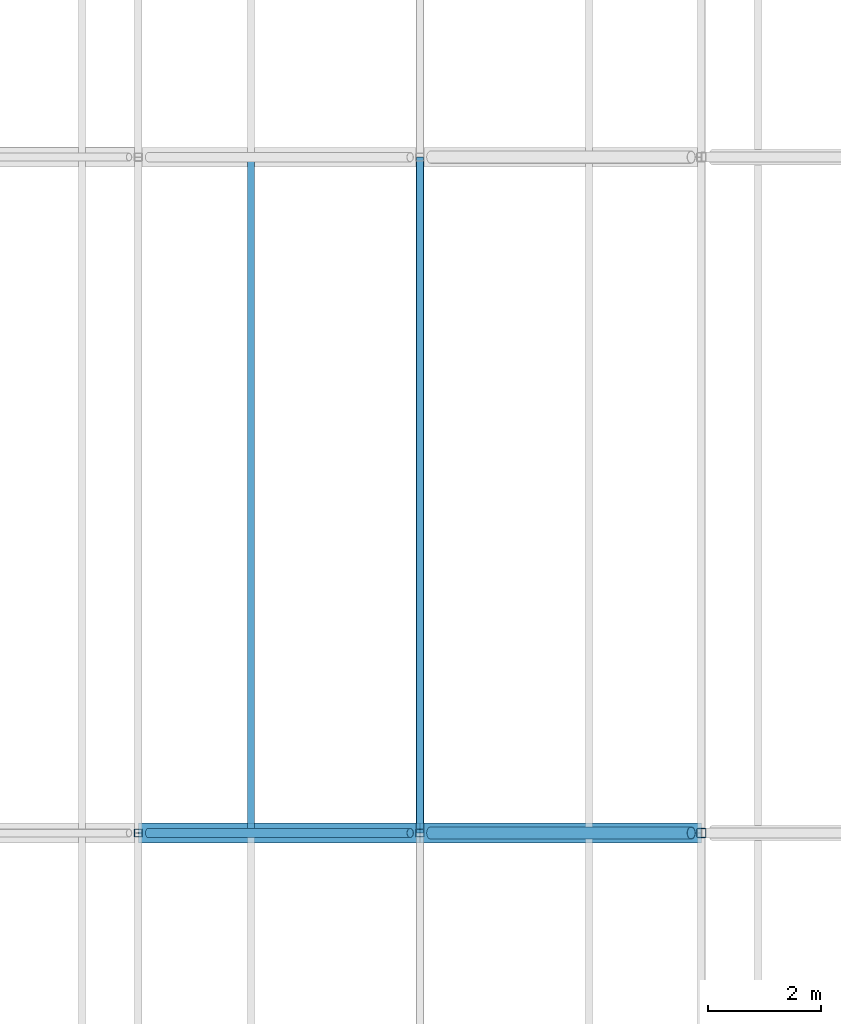
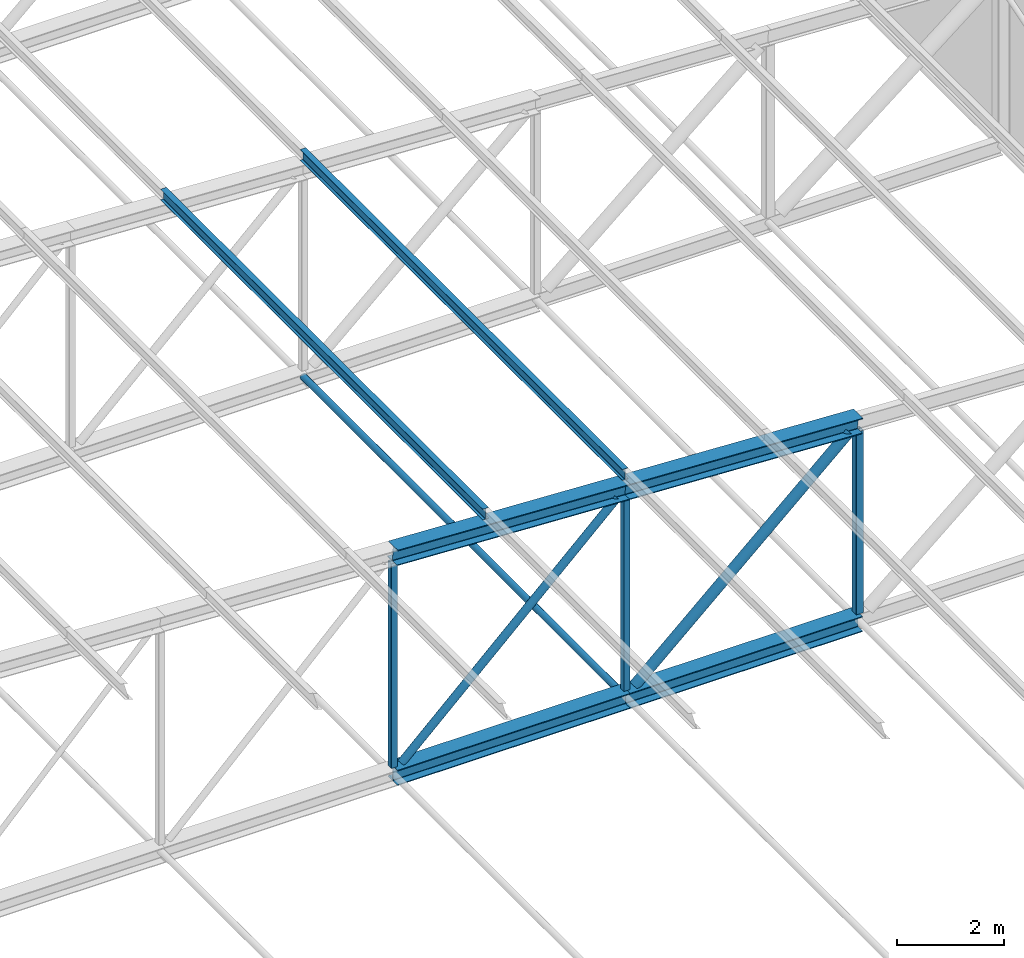
# One storey, part 78 of 156: 12 members.
"""IFC4 building model written with IfcOpenShell, lengths in metres."""

from ifc_helpers import new_model, si_unit, direction, frame, origin, origin_2d, place, context, subcontext, project, spatial, hollow_rectangle, hollow_circle, i_section, extrude, material, material_profile, profile_set, type_object, element, save


model = new_model("IFC4")

# Units and contexts
model_context = context("Model", 3, precision=1e-05, world=origin(), true_north=direction((0.0, 1.0)))
body_context = subcontext(model_context, "Body", "Model", "MODEL_VIEW")
ifc_project = project(units=[si_unit("LENGTHUNIT", "METRE"), si_unit("AREAUNIT", "SQUARE_METRE"), si_unit("VOLUMEUNIT", "CUBIC_METRE"), si_unit("PLANEANGLEUNIT", "RADIAN"), si_unit("MASSUNIT", "GRAM", prefix="KILO")], contexts=[model_context])

# Site, building, storey
site_placement = place(None, origin())
site = spatial("IfcSite", under=ifc_project, at=site_placement, CompositionType="ELEMENT")
building_placement = place(site_placement, origin())
building = spatial("IfcBuilding", under=site, at=building_placement, Name="Lilac Gate Convention Centre", CompositionType="ELEMENT")
storey_placement = place(building_placement, frame((0.0, 0.0, 17.0)))
storey = spatial("IfcBuildingStorey", under=building, at=storey_placement, Name="L03", CompositionType="ELEMENT", Elevation=17.0)

# Members
ifc_material = material(Name="Steel Q355B", Category="steel")
ifc_material_profile_1 = material_profile(ifc_material, hollow_circle(Radius=0.06982421875, WallThickness=0.0048828125, at=origin_2d()), Name="CHS139.7x5")
ifc_profile_set_1 = profile_set([ifc_material_profile_1], Name="Steel Q355B")
member_type_1 = type_object("IfcMemberType", Name="Bottom chord tie CHS139.7x5", PredefinedType="STRUT", material=ifc_profile_set_1)
member_1_placement = place(storey_placement, frame((75.0, 102.006103515625, 0.0), z_axis=(0.0, 1.0, 0.0), x_axis=(-1.0, 0.0, 0.0)))
element("IfcMember", 1, at=member_1_placement, inside=storey, type_object=member_type_1, Name="ST1 tie bay 7 node 10", PredefinedType="STRUT", context=body_context, shape_type="SweptSolid", body=[
    extrude(hollow_circle(Radius=0.06982421875, WallThickness=0.0048828125, at=origin_2d()), origin(), (0.0, 0.0, 1.0), 11.98779296875),
])
ifc_material_profile_2 = material_profile(ifc_material, i_section(OverallWidth=0.125, OverallDepth=0.25, WebThickness=0.006103515625, FlangeThickness=0.009033203125, FilletRadius=0.008056640625, at=origin_2d()), Name="HN250x125x6x9")
ifc_profile_set_2 = profile_set([ifc_material_profile_2], Name="Steel Q355B")
member_type_2 = type_object("IfcMemberType", Name="Roof purlin HN250x125x6x9", PredefinedType="PURLIN", material=ifc_profile_set_2)
for number, where, z_axis, x_axis, name in (
    (2, (72.0, 102.0, 5.2001953125), (0.0, 1.0, 0.0), (-1.0, 0.0, 0.0), "PU2 purlin bay 7 line 15"),
    (3, (75.0, 102.0, 5.05029296875), (0.0, 1.0, 0.0), (-1.0, 0.0, 0.0), "PU2 purlin bay 7 line 16"),
):
    element("IfcMember", number, at=place(storey_placement, frame(where, z_axis=z_axis, x_axis=x_axis)), inside=storey, type_object=member_type_2, Name=name, PredefinedType="PURLIN", context=body_context, shape_type="SweptSolid", body=[
        extrude(i_section(OverallWidth=0.125, OverallDepth=0.25, WebThickness=0.006103515625, FlangeThickness=0.009033203125, FilletRadius=0.008056640625, at=origin_2d()), origin(), (0.0, 0.0, 1.0), 12.0),
    ])
ifc_material_profile_3 = material_profile(ifc_material, i_section(OverallWidth=0.35009765625, OverallDepth=0.35009765625, WebThickness=0.011962890625, FlangeThickness=0.01904296875, FilletRadius=0.012939453125, at=origin_2d()), Name="HW350x350x12x19")
ifc_profile_set_3 = profile_set([ifc_material_profile_3], Name="Steel Q355B")
member_type_3 = type_object("IfcMemberType", Name="Truss bottom chord HW350x350x12x19", PredefinedType="CHORD", material=ifc_profile_set_3)
for number, where, z_axis, x_axis, name in (
    (4, (70.0, 102.0, 0.0), (1.0, 0.0, 0.0), (0.0, 1.0, 0.0), "TB2 truss 7 bottom chord 9"),
    (5, (75.0, 102.0, 0.0), (1.0, 0.0, 0.0), (0.0, 1.0, 0.0), "TB2 truss 7 bottom chord 10"),
):
    element("IfcMember", number, at=place(storey_placement, frame(where, z_axis=z_axis, x_axis=x_axis)), inside=storey, type_object=member_type_3, Name=name, PredefinedType="CHORD", context=body_context, shape_type="SweptSolid", body=[
        extrude(i_section(OverallWidth=0.35009765625, OverallDepth=0.35009765625, WebThickness=0.011962890625, FlangeThickness=0.01904296875, FilletRadius=0.012939453125, at=origin_2d()), origin(), (0.0, 0.0, 1.0), 5.0),
    ])
ifc_material_profile_4 = material_profile(ifc_material, hollow_circle(Radius=0.084228515625, WallThickness=0.006103515625, at=origin_2d()), Name="CHS168.3x6")
ifc_profile_set_4 = profile_set([ifc_material_profile_4], Name="Steel Q355B")
member_type_4 = type_object("IfcMemberType", Name="Truss diagonal CHS168.3x6", PredefinedType="BRACE", material=ifc_profile_set_4)
member_2_placement = place(storey_placement, frame((74.8271484375, 102.0, 4.585693359375), z_axis=(-0.725020373275, 0.0, -0.688727419475), x_axis=(0.0, -1.0, 0.0)))
element("IfcMember", 6, at=member_2_placement, inside=storey, type_object=member_type_4, Name="TW4 truss 7 diagonal 9", PredefinedType="BRACE", context=body_context, shape_type="SweptSolid", body=[
    extrude(hollow_circle(Radius=0.084228515625, WallThickness=0.006103515625, at=origin_2d()), origin(), (0.0, 0.0, 1.0), 6.404052734375),
])
ifc_material_profile_5 = material_profile(ifc_material, hollow_circle(Radius=0.109619140625, WallThickness=0.008056640625, at=origin_2d()), Name="CHS219.1x8")
ifc_profile_set_5 = profile_set([ifc_material_profile_5], Name="Steel Q355B")
member_type_5 = type_object("IfcMemberType", Name="Truss diagonal CHS219.1x8", PredefinedType="BRACE", material=ifc_profile_set_5)
member_3_placement = place(storey_placement, frame((79.8173828125, 102.0, 4.335693359375), z_axis=(-0.743301953498, 0.0, -0.668956056797), x_axis=(0.0, -1.0, 0.0)))
element("IfcMember", 7, at=member_3_placement, inside=storey, type_object=member_type_5, Name="TW3 truss 7 diagonal 10", PredefinedType="BRACE", context=body_context, shape_type="SweptSolid", body=[
    extrude(hollow_circle(Radius=0.109619140625, WallThickness=0.008056640625, at=origin_2d()), origin(), (0.0, 0.0, 1.0), 6.2197265625),
])
ifc_material_profile_6 = material_profile(ifc_material, i_section(OverallWidth=0.35009765625, OverallDepth=0.35009765625, WebThickness=0.011962890625, FlangeThickness=0.01904296875, FilletRadius=0.012939453125, at=origin_2d()), Name="HW350x350x12x19")
ifc_profile_set_6 = profile_set([ifc_material_profile_6], Name="Steel Q355B")
member_type_6 = type_object("IfcMemberType", Name="Truss top chord HW350x350x12x19", PredefinedType="CHORD", material=ifc_profile_set_6)
for number, where, z_axis, x_axis, name in (
    (8, (70.0, 102.0, 5.0), (0.998752338878, 0.0, -0.049937616944), (0.0, 1.0, 0.0), "TT2 truss 7 top chord 9"),
    (9, (75.0, 102.0, 4.75), (0.998752338878, 0.0, -0.049937616944), (0.0, 1.0, 0.0), "TT2 truss 7 top chord 10"),
):
    element("IfcMember", number, at=place(storey_placement, frame(where, z_axis=z_axis, x_axis=x_axis)), inside=storey, type_object=member_type_6, Name=name, PredefinedType="CHORD", context=body_context, shape_type="SweptSolid", body=[
        extrude(i_section(OverallWidth=0.35009765625, OverallDepth=0.35009765625, WebThickness=0.011962890625, FlangeThickness=0.01904296875, FilletRadius=0.012939453125, at=origin_2d()), origin(), (0.0, 0.0, 1.0), 5.00634765625),
    ])
ifc_material_profile_7 = material_profile(ifc_material, hollow_rectangle(XDim=0.139892578125, YDim=0.139892578125, WallThickness=0.0048828125, InnerFilletRadius=0.0048828125, OuterFilletRadius=0.010009765625, at=origin_2d()), Name="SHS140x140x5")
ifc_profile_set_7 = profile_set([ifc_material_profile_7], Name="Steel Q355B")
member_type_7 = type_object("IfcMemberType", Name="Truss vertical SHS140x140x5", PredefinedType="STRUT", material=ifc_profile_set_7)
member_4_placement = place(storey_placement, frame((70.0, 102.0, 0.175048828125), z_axis=(0.0, 0.0, 1.0), x_axis=(1.0, 0.0, 0.0)))
element("IfcMember", 10, at=member_4_placement, inside=storey, type_object=member_type_7, Name="TV4 truss 7 vertical 9", PredefinedType="STRUT", context=body_context, shape_type="SweptSolid", body=[
    extrude(hollow_rectangle(XDim=0.139892578125, YDim=0.139892578125, WallThickness=0.0048828125, InnerFilletRadius=0.0048828125, OuterFilletRadius=0.010009765625, at=origin_2d()), origin(), (0.0, 0.0, 1.0), 4.649658203125),
])
member_5_placement = place(storey_placement, frame((75.0, 102.0, 0.175048828125), z_axis=(0.0, 0.0, 1.0), x_axis=(1.0, 0.0, 0.0)))
element("IfcMember", 11, at=member_5_placement, inside=storey, type_object=member_type_7, Name="TV4 truss 7 vertical 10", PredefinedType="STRUT", context=body_context, shape_type="SweptSolid", body=[
    extrude(hollow_rectangle(XDim=0.139892578125, YDim=0.139892578125, WallThickness=0.0048828125, InnerFilletRadius=0.0048828125, OuterFilletRadius=0.010009765625, at=origin_2d()), origin(), (0.0, 0.0, 1.0), 4.399658203125),
])
ifc_material_profile_8 = material_profile(ifc_material, hollow_rectangle(XDim=0.159912109375, YDim=0.159912109375, WallThickness=0.006103515625, InnerFilletRadius=0.006103515625, OuterFilletRadius=0.011962890625, at=origin_2d()), Name="SHS160x160x6")
ifc_profile_set_8 = profile_set([ifc_material_profile_8], Name="Steel Q355B")
member_type_8 = type_object("IfcMemberType", Name="Truss vertical SHS160x160x6", PredefinedType="STRUT", material=ifc_profile_set_8)
member_6_placement = place(storey_placement, frame((80.0, 102.0, 0.175048828125), z_axis=(0.0, 0.0, 1.0), x_axis=(1.0, 0.0, 0.0)))
element("IfcMember", 12, at=member_6_placement, inside=storey, type_object=member_type_8, Name="TV3 truss 7 vertical 11", PredefinedType="STRUT", context=body_context, shape_type="SweptSolid", body=[
    extrude(hollow_rectangle(XDim=0.159912109375, YDim=0.159912109375, WallThickness=0.006103515625, InnerFilletRadius=0.006103515625, OuterFilletRadius=0.011962890625, at=origin_2d()), origin(), (0.0, 0.0, 1.0), 4.149658203125),
])

save(model, "model.ifc")
